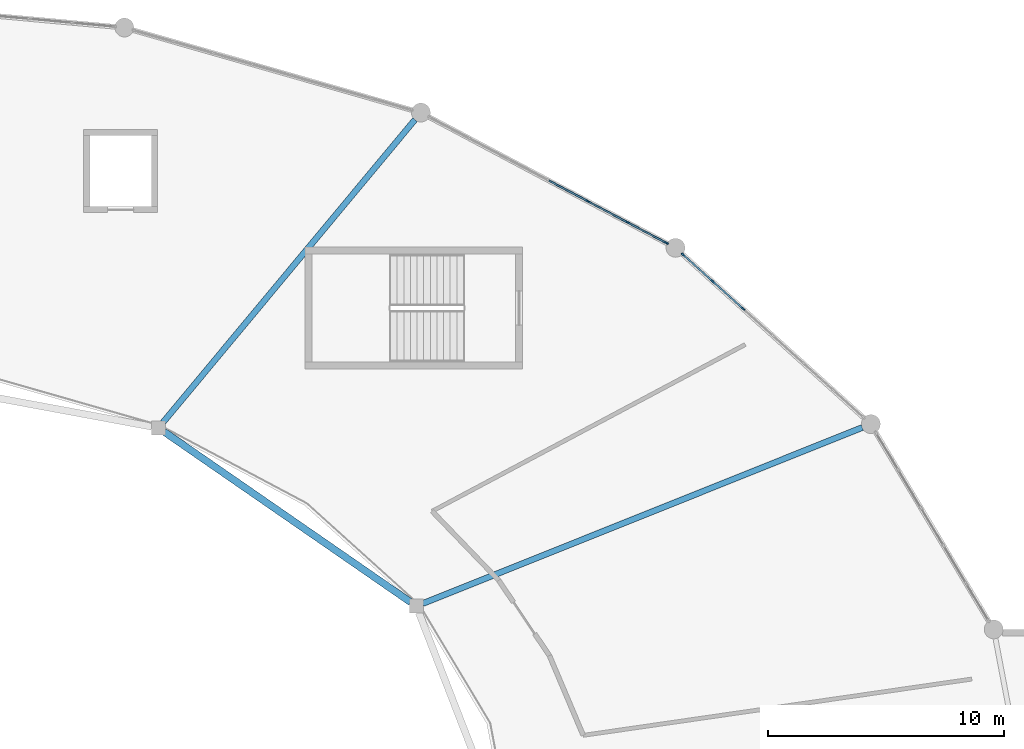
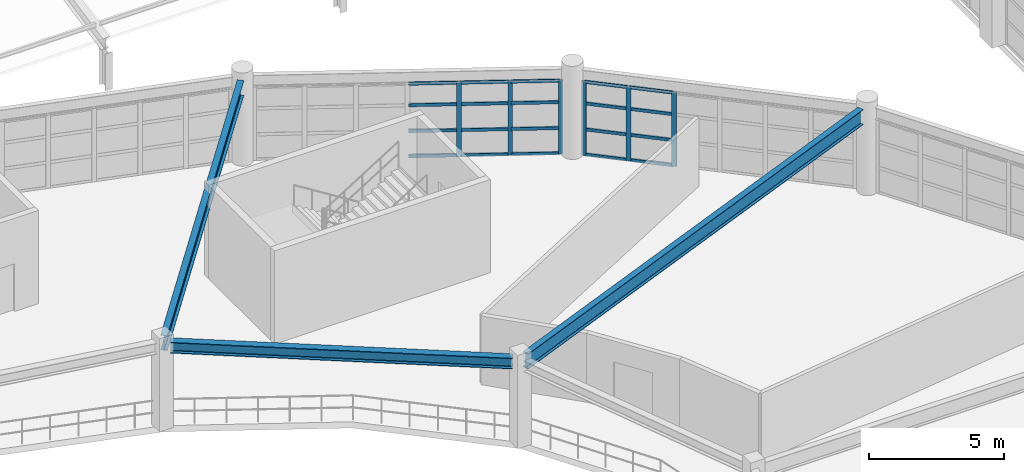
# One storey, part 44 of 100: 26 members, 3 beams, 2 elements without a shape of their own.
"""IFC4 building model written with IfcOpenShell, lengths in metres."""

from ifc_helpers import new_model, si_unit, direction, frame, origin, origin_2d, place, context, subcontext, project, spatial, rectangle, i_section, extrude, material, layer, layer_set, material_profile, profile_set, type_object, element, aggregate, save


model = new_model("IFC4")

# Units and contexts
model_context = context("Model", 3, precision=1e-05, world=origin(), true_north=direction((0.0, 1.0)))
body_context = subcontext(model_context, "Body", "Model", "MODEL_VIEW")
ifc_project = project(units=[si_unit("LENGTHUNIT", "METRE"), si_unit("AREAUNIT", "SQUARE_METRE"), si_unit("VOLUMEUNIT", "CUBIC_METRE"), si_unit("PLANEANGLEUNIT", "RADIAN"), si_unit("MASSUNIT", "GRAM", prefix="KILO")], contexts=[model_context])

# Site, building, storey
site_placement = place(None, origin())
site = spatial("IfcSite", under=ifc_project, at=site_placement, CompositionType="ELEMENT")
building_placement = place(site_placement, origin())
building = spatial("IfcBuilding", under=site, at=building_placement, Name="Kivolera Central Railway Station", CompositionType="ELEMENT")
storey_placement = place(building_placement, frame((0.0, 0.0, 5.39990234375)))
storey = spatial("IfcBuildingStorey", under=building, at=storey_placement, Name="L01", CompositionType="ELEMENT", Elevation=5.39990234375)

# Beams
ifc_material_1 = material(Name="Steel S355", Category="steel")
ifc_material_profile_1 = material_profile(ifc_material_1, i_section(OverallWidth=0.300048828125, OverallDepth=0.489990234375, WebThickness=0.011962890625, FlangeThickness=0.02294921875, FilletRadius=0.027099609375, at=origin_2d()), Name="HEA 500")
ifc_profile_set_1 = profile_set([ifc_material_profile_1], Name="Steel S355")
beam_type_1 = type_object("IfcBeamType", Name="BM-SHD-HEA500", PredefinedType="BEAM", material=ifc_profile_set_1)
beam_1_placement = place(storey_placement, frame((89.568115234375, 100.466064453125, 3.633056640625), z_axis=(-0.822617656818, 0.568594926719, 0.0), x_axis=(-0.568594926719, -0.822617656818, 0.0)))
element("IfcBeam", 1, at=beam_1_placement, inside=storey, type_object=beam_type_1, Name="L01 Oval Inner Gallery Ring Beam 02", PredefinedType="BEAM", context=body_context, shape_type="SweptSolid", body=[
    extrude(i_section(OverallWidth=0.300048828125, OverallDepth=0.489990234375, WebThickness=0.011962890625, FlangeThickness=0.02294921875, FilletRadius=0.027099609375, at=origin_2d()), origin(), (0.0, 0.0, 1.0), 12.6767578125),
])
ifc_material_profile_2 = material_profile(ifc_material_1, i_section(OverallWidth=0.253662109375, OverallDepth=0.68359375, WebThickness=0.012451171875, FlangeThickness=0.01904296875, FilletRadius=0.01513671875, at=origin_2d()), Name="UB 686x254x140")
ifc_profile_set_2 = profile_set([ifc_material_profile_2], Name="Steel S355")
beam_type_2 = type_object("IfcBeamType", Name="BM-SHD-UB686", PredefinedType="BEAM", material=ifc_profile_set_2)
beam_2_placement = place(storey_placement, frame((90.0791015625, 100.408935546875, 3.5361328125), z_axis=(0.928316028373, 0.371792080961, 0.0), x_axis=(-0.371792080961, 0.928316028373, 0.0)))
element("IfcBeam", 2, at=beam_2_placement, inside=storey, type_object=beam_type_2, Name="L01 Oval Gallery Radial Girder 02", PredefinedType="BEAM", context=body_context, shape_type="SweptSolid", body=[
    extrude(i_section(OverallWidth=0.253662109375, OverallDepth=0.68359375, WebThickness=0.012451171875, FlangeThickness=0.01904296875, FilletRadius=0.01513671875, at=origin_2d()), origin(), (0.0, 0.0, 1.0), 20.02734375),
])
beam_3_placement = place(storey_placement, frame((79.0869140625, 108.06396484375, 3.5361328125), z_axis=(0.639708903431, 0.76861727724, 0.0), x_axis=(-0.76861727724, 0.639708903431, 0.0)))
element("IfcBeam", 3, at=beam_3_placement, inside=storey, type_object=beam_type_2, Name="L01 Oval Gallery Radial Girder 03", PredefinedType="BEAM", context=body_context, shape_type="SweptSolid", body=[
    extrude(i_section(OverallWidth=0.253662109375, OverallDepth=0.68359375, WebThickness=0.012451171875, FlangeThickness=0.01904296875, FilletRadius=0.01513671875, at=origin_2d()), origin(), (0.0, 0.0, 1.0), 16.670166015625),
])

# Curtain wall, members
ifc_material_2 = material(Name="Anodised aluminium", Category="aluminium")
ifc_layer_1 = layer(ifc_material_2, 0.179931640625, Name="Anodised aluminium")
ifc_layer_set_1 = layer_set([ifc_layer_1], Name="Anodised aluminium")
curtain_wall_type_1 = type_object("IfcCurtainWallType", Name="CW-SYS-05", PredefinedType="NOTDEFINED", material=ifc_layer_set_1)
curtain_wall_1_placement = place(storey_placement, origin())
curtain_wall_1 = element("IfcCurtainWall", 4, at=curtain_wall_1_placement, inside=storey, type_object=curtain_wall_type_1, Name="L01 Curtain Wall CW-L01-OVL-02", PredefinedType="NOTDEFINED")
ifc_material_profile_3 = material_profile(ifc_material_2, rectangle(XDim=0.070068359375, YDim=0.179931640625, at=origin_2d()), Name="ALU MULL 70x180")
ifc_profile_set_3 = profile_set([ifc_material_profile_3], Name="Anodised aluminium")
member_type_1 = type_object("IfcMemberType", Name="CWM-MUL-1", PredefinedType="MULLION", material=ifc_profile_set_3)
member_1_placement = place(storey_placement, frame((101.093017578125, 115.16455078125, -0.0048828125), z_axis=(0.0, 0.0, 1.0), x_axis=(0.66992157428, 0.742431871833, 0.0)))
member_1 = element("IfcMember", 5, at=member_1_placement, type_object=member_type_1, Name="CW-05 mullion 1", PredefinedType="MULLION", context=body_context, shape_type="SweptSolid", body=[
    extrude(rectangle(XDim=0.070068359375, YDim=0.179931640625, at=origin_2d()), origin(), (0.0, 0.0, 1.0), 3.344970703125),
])
member_2_placement = place(storey_placement, frame((102.34521484375, 114.03466796875, -0.0048828125), z_axis=(0.0, 0.0, 1.0), x_axis=(0.66992157428, 0.742431871833, 0.0)))
member_2 = element("IfcMember", 6, at=member_2_placement, type_object=member_type_1, Name="CW-05 mullion 2", PredefinedType="MULLION", context=body_context, shape_type="SweptSolid", body=[
    extrude(rectangle(XDim=0.070068359375, YDim=0.179931640625, at=origin_2d()), origin(), (0.0, 0.0, 1.0), 3.344970703125),
])
member_3_placement = place(storey_placement, frame((103.623291015625, 112.88134765625, -0.0048828125), z_axis=(0.0, 0.0, 1.0), x_axis=(0.66992157428, 0.742431871833, 0.0)))
member_3 = element("IfcMember", 7, at=member_3_placement, type_object=member_type_1, Name="CW-05 mullion 3", PredefinedType="MULLION", context=body_context, shape_type="SweptSolid", body=[
    extrude(rectangle(XDim=0.070068359375, YDim=0.179931640625, at=origin_2d()), origin(), (0.0, 0.0, 1.0), 3.344970703125),
])

ifc_layer_2 = layer(ifc_material_2, 0.179931640625, Name="Anodised aluminium")
ifc_layer_set_2 = layer_set([ifc_layer_2], Name="Anodised aluminium")
curtain_wall_type_2 = type_object("IfcCurtainWallType", Name="CW-SYS-08", PredefinedType="NOTDEFINED", material=ifc_layer_set_2)
curtain_wall_2_placement = place(storey_placement, origin())
curtain_wall_2 = element("IfcCurtainWall", 8, at=curtain_wall_2_placement, inside=storey, type_object=curtain_wall_type_2, Name="L01 Curtain Wall CW-L01-OVL-03", PredefinedType="NOTDEFINED")
member_4_placement = place(storey_placement, frame((97.062255859375, 117.42578125, -0.0048828125), z_axis=(0.0, 0.0, 1.0), x_axis=(0.469052563023, 0.883170251493, 0.0)))
member_4 = element("IfcMember", 9, at=member_4_placement, type_object=member_type_1, Name="CW-08 mullion 5", PredefinedType="MULLION", context=body_context, shape_type="SweptSolid", body=[
    extrude(rectangle(XDim=0.070068359375, YDim=0.179931640625, at=origin_2d()), origin(), (0.0, 0.0, 1.0), 3.344970703125),
])
member_5_placement = place(storey_placement, frame((98.73974609375, 116.534912109375, -0.0048828125), z_axis=(0.0, 0.0, 1.0), x_axis=(0.469052563023, 0.883170251493, 0.0)))
member_5 = element("IfcMember", 10, at=member_5_placement, type_object=member_type_1, Name="CW-08 mullion 6", PredefinedType="MULLION", context=body_context, shape_type="SweptSolid", body=[
    extrude(rectangle(XDim=0.070068359375, YDim=0.179931640625, at=origin_2d()), origin(), (0.0, 0.0, 1.0), 3.344970703125),
])
member_6_placement = place(storey_placement, frame((100.385986328125, 115.660400390625, -0.0048828125), z_axis=(0.0, 0.0, 1.0), x_axis=(0.469052563023, 0.883170251493, 0.0)))
member_6 = element("IfcMember", 11, at=member_6_placement, type_object=member_type_1, Name="CW-08 mullion 7", PredefinedType="MULLION", context=body_context, shape_type="SweptSolid", body=[
    extrude(rectangle(XDim=0.070068359375, YDim=0.179931640625, at=origin_2d()), origin(), (0.0, 0.0, 1.0), 3.344970703125),
])

# Member
ifc_material_profile_4 = material_profile(ifc_material_2, rectangle(XDim=0.070068359375, YDim=0.139892578125, at=origin_2d()), Name="ALU TRAN 70x140")
ifc_profile_set_4 = profile_set([ifc_material_profile_4], Name="Anodised aluminium")
member_type_2 = type_object("IfcMemberType", Name="CWM-TRN-1", PredefinedType="USERDEFINED", material=ifc_profile_set_4)
member_7_placement = place(storey_placement, frame((101.118896484375, 115.14111328125, 0.03515625), z_axis=(0.742422429893, -0.66993203804, 0.0), x_axis=(0.66993203804, 0.742422429893, 0.0)))
member_7 = element("IfcMember", 12, at=member_7_placement, type_object=member_type_2, Name="CW-05 transom 1.1", ObjectType="TRANSOM", PredefinedType="USERDEFINED", context=body_context, shape_type="SweptSolid", body=[
    extrude(rectangle(XDim=0.070068359375, YDim=0.139892578125, at=origin_2d()), origin(), (0.0, 0.0, 1.0), 1.61669921875),
])

member_8_placement = place(storey_placement, frame((101.118896484375, 115.14111328125, 1.169189453125), z_axis=(0.742422429893, -0.66993203804, 0.0), x_axis=(0.66993203804, 0.742422429893, 0.0)))
member_8 = element("IfcMember", 13, at=member_8_placement, type_object=member_type_2, Name="CW-05 transom 1.2", ObjectType="TRANSOM", PredefinedType="USERDEFINED", context=body_context, shape_type="SweptSolid", body=[
    extrude(rectangle(XDim=0.070068359375, YDim=0.139892578125, at=origin_2d()), origin(), (0.0, 0.0, 1.0), 1.61669921875),
])

member_9_placement = place(storey_placement, frame((101.118896484375, 115.14111328125, 2.338134765625), z_axis=(0.742422429893, -0.66993203804, 0.0), x_axis=(0.66993203804, 0.742422429893, 0.0)))
member_9 = element("IfcMember", 14, at=member_9_placement, type_object=member_type_2, Name="CW-05 transom 1.3", ObjectType="TRANSOM", PredefinedType="USERDEFINED", context=body_context, shape_type="SweptSolid", body=[
    extrude(rectangle(XDim=0.070068359375, YDim=0.139892578125, at=origin_2d()), origin(), (0.0, 0.0, 1.0), 1.61669921875),
])

member_10_placement = place(storey_placement, frame((101.118896484375, 115.14111328125, 3.30517578125), z_axis=(0.742422429893, -0.66993203804, 0.0), x_axis=(0.66993203804, 0.742422429893, 0.0)))
member_10 = element("IfcMember", 15, at=member_10_placement, type_object=member_type_2, Name="CW-05 transom 1.4", ObjectType="TRANSOM", PredefinedType="USERDEFINED", context=body_context, shape_type="SweptSolid", body=[
    extrude(rectangle(XDim=0.070068359375, YDim=0.139892578125, at=origin_2d()), origin(), (0.0, 0.0, 1.0), 1.61669921875),
])

member_11_placement = place(storey_placement, frame((102.37109375, 114.01123046875, 0.03515625), z_axis=(0.74246304586, -0.669887024455, 0.0), x_axis=(0.669887024455, 0.74246304586, 0.0)))
member_11 = element("IfcMember", 16, at=member_11_placement, type_object=member_type_2, Name="CW-05 transom 2.1", ObjectType="TRANSOM", PredefinedType="USERDEFINED", context=body_context, shape_type="SweptSolid", body=[
    extrude(rectangle(XDim=0.070068359375, YDim=0.139892578125, at=origin_2d()), origin(), (0.0, 0.0, 1.0), 1.651611328125),
])

member_12_placement = place(storey_placement, frame((102.37109375, 114.01123046875, 1.169189453125), z_axis=(0.74246304586, -0.669887024455, 0.0), x_axis=(0.669887024455, 0.74246304586, 0.0)))
member_12 = element("IfcMember", 17, at=member_12_placement, type_object=member_type_2, Name="CW-05 transom 2.2", ObjectType="TRANSOM", PredefinedType="USERDEFINED", context=body_context, shape_type="SweptSolid", body=[
    extrude(rectangle(XDim=0.070068359375, YDim=0.139892578125, at=origin_2d()), origin(), (0.0, 0.0, 1.0), 1.651611328125),
])

member_13_placement = place(storey_placement, frame((102.37109375, 114.01123046875, 2.338134765625), z_axis=(0.74246304586, -0.669887024455, 0.0), x_axis=(0.669887024455, 0.74246304586, 0.0)))
member_13 = element("IfcMember", 18, at=member_13_placement, type_object=member_type_2, Name="CW-05 transom 2.3", ObjectType="TRANSOM", PredefinedType="USERDEFINED", context=body_context, shape_type="SweptSolid", body=[
    extrude(rectangle(XDim=0.070068359375, YDim=0.139892578125, at=origin_2d()), origin(), (0.0, 0.0, 1.0), 1.651611328125),
])

member_14_placement = place(storey_placement, frame((102.37109375, 114.01123046875, 3.30517578125), z_axis=(0.74246304586, -0.669887024455, 0.0), x_axis=(0.669887024455, 0.74246304586, 0.0)))
member_14 = element("IfcMember", 19, at=member_14_placement, type_object=member_type_2, Name="CW-05 transom 2.4", ObjectType="TRANSOM", PredefinedType="USERDEFINED", context=body_context, shape_type="SweptSolid", body=[
    extrude(rectangle(XDim=0.070068359375, YDim=0.139892578125, at=origin_2d()), origin(), (0.0, 0.0, 1.0), 1.651611328125),
])

aggregate(curtain_wall_1, [member_1, member_2, member_3, member_7, member_8, member_9, member_10, member_11, member_12, member_13, member_14])

member_15_placement = place(storey_placement, frame((95.416015625, 118.300048828125, 0.03515625), z_axis=(0.88318656257, -0.469021849913, 0.0), x_axis=(0.469021849913, 0.88318656257, 0.0)))
member_15 = element("IfcMember", 20, at=member_15_placement, type_object=member_type_2, Name="CW-08 transom 4.1", ObjectType="TRANSOM", PredefinedType="USERDEFINED", context=body_context, shape_type="SweptSolid", body=[
    extrude(rectangle(XDim=0.070068359375, YDim=0.139892578125, at=origin_2d()), origin(), (0.0, 0.0, 1.0), 1.8291015625),
])

member_16_placement = place(storey_placement, frame((95.416015625, 118.300048828125, 1.169189453125), z_axis=(0.88318656257, -0.469021849913, 0.0), x_axis=(0.469021849913, 0.88318656257, 0.0)))
member_16 = element("IfcMember", 21, at=member_16_placement, type_object=member_type_2, Name="CW-08 transom 4.2", ObjectType="TRANSOM", PredefinedType="USERDEFINED", context=body_context, shape_type="SweptSolid", body=[
    extrude(rectangle(XDim=0.070068359375, YDim=0.139892578125, at=origin_2d()), origin(), (0.0, 0.0, 1.0), 1.8291015625),
])

member_17_placement = place(storey_placement, frame((95.416015625, 118.300048828125, 2.338134765625), z_axis=(0.88318656257, -0.469021849913, 0.0), x_axis=(0.469021849913, 0.88318656257, 0.0)))
member_17 = element("IfcMember", 22, at=member_17_placement, type_object=member_type_2, Name="CW-08 transom 4.3", ObjectType="TRANSOM", PredefinedType="USERDEFINED", context=body_context, shape_type="SweptSolid", body=[
    extrude(rectangle(XDim=0.070068359375, YDim=0.139892578125, at=origin_2d()), origin(), (0.0, 0.0, 1.0), 1.8291015625),
])

member_18_placement = place(storey_placement, frame((95.416015625, 118.300048828125, 3.30517578125), z_axis=(0.88318656257, -0.469021849913, 0.0), x_axis=(0.469021849913, 0.88318656257, 0.0)))
member_18 = element("IfcMember", 23, at=member_18_placement, type_object=member_type_2, Name="CW-08 transom 4.4", ObjectType="TRANSOM", PredefinedType="USERDEFINED", context=body_context, shape_type="SweptSolid", body=[
    extrude(rectangle(XDim=0.070068359375, YDim=0.139892578125, at=origin_2d()), origin(), (0.0, 0.0, 1.0), 1.8291015625),
])

member_19_placement = place(storey_placement, frame((97.09326171875, 117.4091796875, 0.03515625), z_axis=(0.88318656257, -0.469021849913, 0.0), x_axis=(0.469021849913, 0.88318656257, 0.0)))
member_19 = element("IfcMember", 24, at=member_19_placement, type_object=member_type_2, Name="CW-08 transom 5.1", ObjectType="TRANSOM", PredefinedType="USERDEFINED", context=body_context, shape_type="SweptSolid", body=[
    extrude(rectangle(XDim=0.070068359375, YDim=0.139892578125, at=origin_2d()), origin(), (0.0, 0.0, 1.0), 1.8291015625),
])

member_20_placement = place(storey_placement, frame((97.09326171875, 117.4091796875, 1.169189453125), z_axis=(0.88318656257, -0.469021849913, 0.0), x_axis=(0.469021849913, 0.88318656257, 0.0)))
member_20 = element("IfcMember", 25, at=member_20_placement, type_object=member_type_2, Name="CW-08 transom 5.2", ObjectType="TRANSOM", PredefinedType="USERDEFINED", context=body_context, shape_type="SweptSolid", body=[
    extrude(rectangle(XDim=0.070068359375, YDim=0.139892578125, at=origin_2d()), origin(), (0.0, 0.0, 1.0), 1.8291015625),
])

member_21_placement = place(storey_placement, frame((97.09326171875, 117.4091796875, 2.338134765625), z_axis=(0.88318656257, -0.469021849913, 0.0), x_axis=(0.469021849913, 0.88318656257, 0.0)))
member_21 = element("IfcMember", 26, at=member_21_placement, type_object=member_type_2, Name="CW-08 transom 5.3", ObjectType="TRANSOM", PredefinedType="USERDEFINED", context=body_context, shape_type="SweptSolid", body=[
    extrude(rectangle(XDim=0.070068359375, YDim=0.139892578125, at=origin_2d()), origin(), (0.0, 0.0, 1.0), 1.8291015625),
])

member_22_placement = place(storey_placement, frame((97.09326171875, 117.4091796875, 3.30517578125), z_axis=(0.88318656257, -0.469021849913, 0.0), x_axis=(0.469021849913, 0.88318656257, 0.0)))
member_22 = element("IfcMember", 27, at=member_22_placement, type_object=member_type_2, Name="CW-08 transom 5.4", ObjectType="TRANSOM", PredefinedType="USERDEFINED", context=body_context, shape_type="SweptSolid", body=[
    extrude(rectangle(XDim=0.070068359375, YDim=0.139892578125, at=origin_2d()), origin(), (0.0, 0.0, 1.0), 1.8291015625),
])

member_23_placement = place(storey_placement, frame((98.7705078125, 116.518310546875, 0.03515625), z_axis=(0.883191460259, -0.469012627255, 0.0), x_axis=(0.469012627255, 0.883191460259, 0.0)))
member_23 = element("IfcMember", 28, at=member_23_placement, type_object=member_type_2, Name="CW-08 transom 6.1", ObjectType="TRANSOM", PredefinedType="USERDEFINED", context=body_context, shape_type="SweptSolid", body=[
    extrude(rectangle(XDim=0.070068359375, YDim=0.139892578125, at=origin_2d()), origin(), (0.0, 0.0, 1.0), 1.794189453125),
])

member_24_placement = place(storey_placement, frame((98.7705078125, 116.518310546875, 1.169189453125), z_axis=(0.883191460259, -0.469012627255, 0.0), x_axis=(0.469012627255, 0.883191460259, 0.0)))
member_24 = element("IfcMember", 29, at=member_24_placement, type_object=member_type_2, Name="CW-08 transom 6.2", ObjectType="TRANSOM", PredefinedType="USERDEFINED", context=body_context, shape_type="SweptSolid", body=[
    extrude(rectangle(XDim=0.070068359375, YDim=0.139892578125, at=origin_2d()), origin(), (0.0, 0.0, 1.0), 1.794189453125),
])

member_25_placement = place(storey_placement, frame((98.7705078125, 116.518310546875, 2.338134765625), z_axis=(0.883191460259, -0.469012627255, 0.0), x_axis=(0.469012627255, 0.883191460259, 0.0)))
member_25 = element("IfcMember", 30, at=member_25_placement, type_object=member_type_2, Name="CW-08 transom 6.3", ObjectType="TRANSOM", PredefinedType="USERDEFINED", context=body_context, shape_type="SweptSolid", body=[
    extrude(rectangle(XDim=0.070068359375, YDim=0.139892578125, at=origin_2d()), origin(), (0.0, 0.0, 1.0), 1.794189453125),
])

member_26_placement = place(storey_placement, frame((98.7705078125, 116.518310546875, 3.30517578125), z_axis=(0.883191460259, -0.469012627255, 0.0), x_axis=(0.469012627255, 0.883191460259, 0.0)))
member_26 = element("IfcMember", 31, at=member_26_placement, type_object=member_type_2, Name="CW-08 transom 6.4", ObjectType="TRANSOM", PredefinedType="USERDEFINED", context=body_context, shape_type="SweptSolid", body=[
    extrude(rectangle(XDim=0.070068359375, YDim=0.139892578125, at=origin_2d()), origin(), (0.0, 0.0, 1.0), 1.794189453125),
])

aggregate(curtain_wall_2, [member_4, member_5, member_6, member_15, member_16, member_17, member_18, member_19, member_20, member_21, member_22, member_23, member_24, member_25, member_26])

save(model, "model.ifc")
